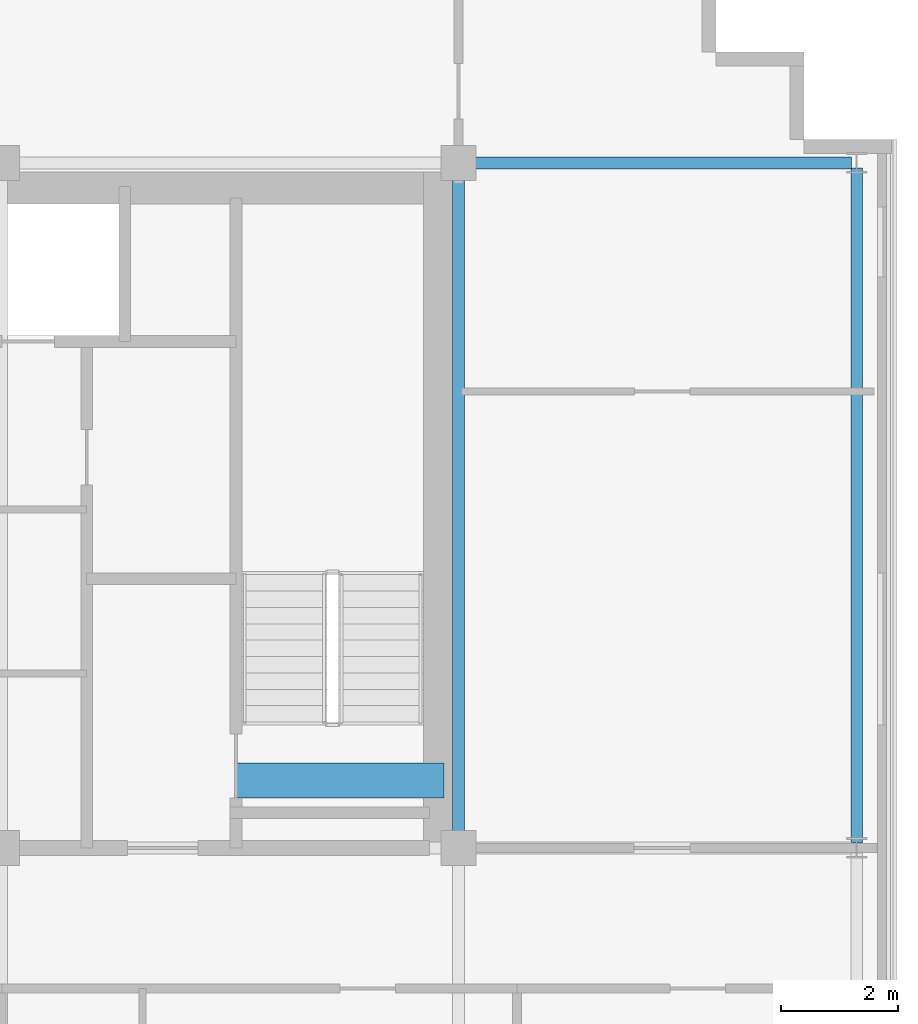
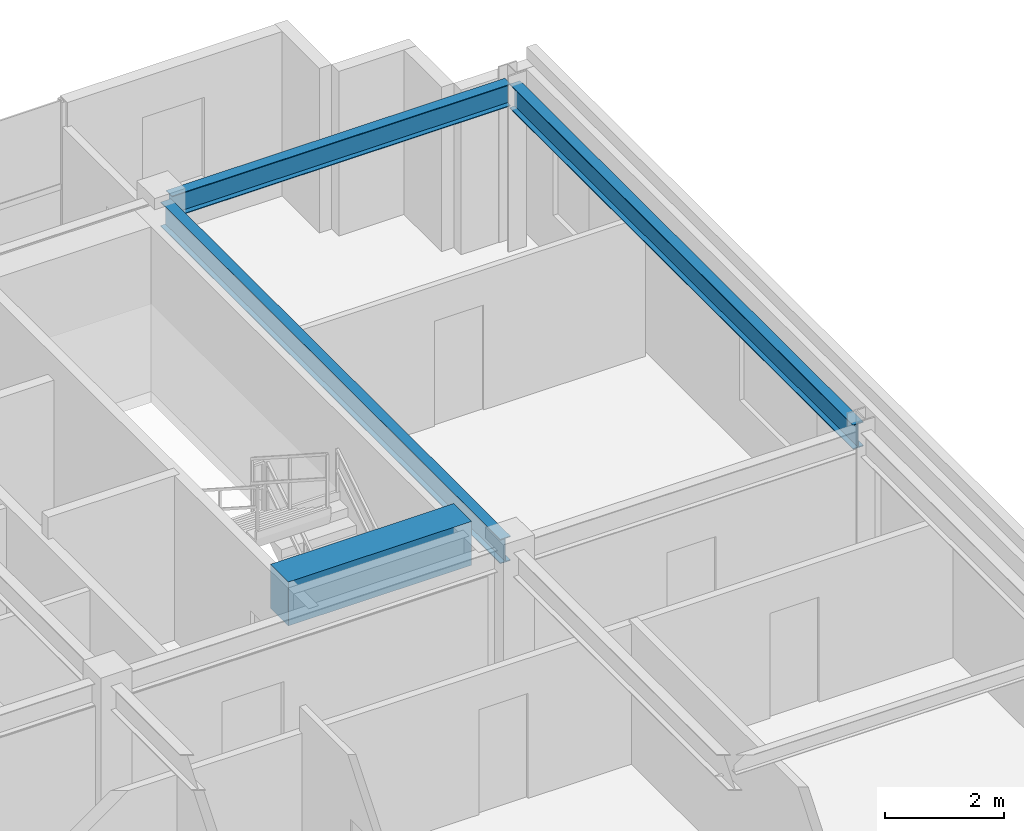
# One storey, part 13 of 22: 4 beams.
"""IFC4 building model written with IfcOpenShell, lengths in metres."""

import ifcopenshell
import ifcopenshell.guid

model = None  # the IFC model being written
_history = None  # IfcOwnerHistory: only IFC2X3 demands one
_inside = {}  # id of a spatial element -> (the spatial element, [elements in it])
_under = {}  # id of a project, library or spatial element -> (it, [spatial elements below it])
_declared = {}  # id of a project -> (the project, [libraries it declares])
_typed = {}  # id of a type object -> (the type object, [elements of that type])
_made_of = {}  # id of a material, layer set ... -> (it, [elements and type objects made of it])


def new_model(schema):
    """Start an empty IFC model of exactly this schema.

    Asked for "IFC4X3", IfcOpenShell would pick the latest addendum, in which some entities
    have other attributes; the version numbers below select the first issue.
    IFC2X3 requires an IfcOwnerHistory on every rooted entity: one is made here for all.
    """
    global model, _history
    if schema == "IFC4X3":
        model = ifcopenshell.file(schema_version=(4, 3, 0, 0))
    else:
        model = ifcopenshell.file(schema=schema)
    _inside.clear()
    _under.clear()
    _declared.clear()
    _typed.clear()
    _made_of.clear()
    _history = None
    if model.schema == "IFC2X3":
        org = make("IfcOrganization", Name="unknown")
        user = make(
            "IfcPersonAndOrganization",
            ThePerson=make("IfcPerson", FamilyName="unknown"),
            TheOrganization=org,
        )
        app = make(
            "IfcApplication",
            ApplicationDeveloper=org,
            Version="unknown",
            ApplicationFullName="unknown",
            ApplicationIdentifier="unknown",
        )
        _history = make(
            "IfcOwnerHistory",
            OwningUser=user,
            OwningApplication=app,
            ChangeAction="ADDED",
            CreationDate=0,
        )
    return model


def make(cls, **values):
    """One entity of the class cls with the attributes given. An attribute that is None is left unset."""
    return model.create_entity(
        cls, **{name: value for name, value in values.items() if value is not None}
    )


def rooted(cls, **values):
    """An entity with a GlobalId (a new one), such as an element, a storey or a relation."""
    return make(cls, GlobalId=ifcopenshell.guid.new(), OwnerHistory=_history, **values)


def si_unit(unit_type, name, prefix=None):
    """IfcSIUnit, for example si_unit("LENGTHUNIT", "METRE", prefix="MILLI")."""
    return make("IfcSIUnit", UnitType=unit_type, Prefix=prefix, Name=name)


def assignment(units):
    """IfcUnitAssignment: the units of a project."""
    return None if units is None else make("IfcUnitAssignment", Units=units)


def point(xyz):
    """IfcCartesianPoint."""
    return None if xyz is None else make("IfcCartesianPoint", Coordinates=xyz)


def direction(xyz):
    """IfcDirection."""
    return None if xyz is None else make("IfcDirection", DirectionRatios=xyz)


def frame(location, z_axis=None, x_axis=None):
    """IfcAxis2Placement3D, a coordinate frame: its origin and axes. An axis left out is left unset."""
    return make(
        "IfcAxis2Placement3D",
        Location=point(location),
        Axis=direction(z_axis),
        RefDirection=direction(x_axis),
    )


def frame_2d(location, x_axis=None):
    """IfcAxis2Placement2D, a coordinate frame in the plane: its origin and x axis."""
    return make(
        "IfcAxis2Placement2D", Location=point(location), RefDirection=direction(x_axis)
    )


def origin():
    """The frame at (0, 0, 0) with its axes left unset."""
    return frame((0.0, 0.0, 0.0))


def origin_2d():
    """The frame at (0, 0) in the plane with its x axis left unset."""
    return frame_2d((0.0, 0.0))


def place(relative_to, where):
    """IfcLocalPlacement: puts the frame where relative to a parent placement (None: the world)."""
    return make(
        "IfcLocalPlacement", PlacementRelTo=relative_to, RelativePlacement=where
    )


def context(
    kind, dimensions, precision=None, world=None, true_north=None, identifier=None
):
    """IfcGeometricRepresentationContext, for example the 3D "Model" context."""
    return make(
        "IfcGeometricRepresentationContext",
        ContextIdentifier=identifier,
        ContextType=kind,
        CoordinateSpaceDimension=dimensions,
        Precision=precision,
        WorldCoordinateSystem=world,
        TrueNorth=true_north,
    )


def subcontext(parent, identifier, kind, view, scale=None):
    """IfcGeometricRepresentationSubContext, for example "Body" below "Model"."""
    return make(
        "IfcGeometricRepresentationSubContext",
        ContextIdentifier=identifier,
        ContextType=kind,
        ParentContext=parent,
        TargetScale=scale,
        TargetView=view,
    )


def project(units=None, contexts=None):
    """IfcProject with its units and contexts."""
    return rooted(
        "IfcProject",
        Name="project",
        RepresentationContexts=contexts,
        UnitsInContext=assignment(units),
    )


def spatial(cls, under=None, at=None, **own):
    """A site, building, storey or space (cls), placed at a placement, below another one or the project."""
    s = rooted(cls, ObjectPlacement=at, **own)
    if under is not None:
        _under.setdefault(under.id(), (under, []))[1].append(s)
    return s


def profile(cls, at=None, kind="AREA", **sizes):
    """A parametric profile (cls). Its sizes go by their IFC names, for example OverallWidth=200.0."""
    return make(cls, ProfileType=kind, Position=at, **sizes)


def rectangle(**sizes):
    """IfcRectangleProfileDef."""
    return profile("IfcRectangleProfileDef", **sizes)


def i_section(**sizes):
    """IfcIShapeProfileDef."""
    return profile("IfcIShapeProfileDef", **sizes)


def extrude(swept, where, along, depth):
    """IfcExtrudedAreaSolid: the profile swept, set in the frame where, extruded along a direction by depth."""
    return make(
        "IfcExtrudedAreaSolid",
        SweptArea=swept,
        Position=where,
        ExtrudedDirection=direction(along),
        Depth=depth,
    )


def shape(context_of_items, identifier, shape_type, items):
    """IfcShapeRepresentation: the items that make up one representation, for example the "Body"."""
    return make(
        "IfcShapeRepresentation",
        ContextOfItems=context_of_items,
        RepresentationIdentifier=identifier,
        RepresentationType=shape_type,
        Items=items,
    )


def source(mapping_origin, context_of_items, identifier, shape_type, items):
    """IfcRepresentationMap: a shape defined once, which mapped items show again and again."""
    return make(
        "IfcRepresentationMap",
        MappingOrigin=mapping_origin,
        MappedRepresentation=shape(context_of_items, identifier, shape_type, items),
    )


def transform(
    local_origin,
    x_axis=None,
    y_axis=None,
    z_axis=None,
    scale=None,
    scale2=None,
    scale3=None,
    uniform=True,
):
    """IfcCartesianTransformationOperator3D, or its non-uniform kind. x_axis, y_axis, z_axis: its Axis1, 2, 3."""
    if uniform:
        return make(
            "IfcCartesianTransformationOperator3D",
            Axis1=direction(x_axis),
            Axis2=direction(y_axis),
            LocalOrigin=point(local_origin),
            Scale=scale,
            Axis3=direction(z_axis),
        )
    return make(
        "IfcCartesianTransformationOperator3DnonUniform",
        Axis1=direction(x_axis),
        Axis2=direction(y_axis),
        LocalOrigin=point(local_origin),
        Scale=scale,
        Axis3=direction(z_axis),
        Scale2=scale2,
        Scale3=scale3,
    )


def mapped(mapping_source, mapping_target):
    """IfcMappedItem: shows the shape of a source again, moved by a transform."""
    return make(
        "IfcMappedItem", MappingSource=mapping_source, MappingTarget=mapping_target
    )


def material(Name=None, Category=None):
    """IfcMaterial."""
    return make("IfcMaterial", Name=Name, Category=Category)


def material_profile(
    of_material, cross_section, Name=None, Category=None, Priority=None
):
    """IfcMaterialProfile: a cross section and its material."""
    return make(
        "IfcMaterialProfile",
        Name=Name,
        Material=of_material,
        Profile=cross_section,
        Priority=Priority,
        Category=Category,
    )


def profile_set(profiles, Name=None, composite=None):
    """IfcMaterialProfileSet."""
    return make(
        "IfcMaterialProfileSet",
        Name=Name,
        MaterialProfiles=profiles,
        CompositeProfile=composite,
    )


def made_of(thing, what):
    """Note that an element or type object is made of a material, layer set ...; save() writes the relation."""
    if what is not None:
        _made_of.setdefault(what.id(), (what, []))[1].append(thing)
    return thing


def type_object(cls, material=None, **own):
    """A type object (cls), such as IfcWallType, which elements share."""
    return made_of(rooted(cls, **own), material)


def element(
    cls,
    number,
    at=None,
    inside=None,
    cuts=None,
    type_object=None,
    material=None,
    context=None,
    identifier="Body",
    shape_type=None,
    held_by="IfcProductDefinitionShape",
    body=None,
    shapes=None,
    **own,
):
    """One element of the class cls, such as IfcWall. Its Tag is "e" and its number.

    at: its placement. inside: the storey or other place that contains it. cuts: it is an
    opening in that element (IfcRelVoidsElement). A single representation is given by context,
    identifier, shape_type and body (its items); several are given by shapes. held_by: the class
    of the entity that holds the representations. save() writes the other relations.
    """
    e = rooted(cls, Tag="e%d" % number, ObjectPlacement=at, **own)
    if body is not None:
        shapes = [shape(context, identifier, shape_type, body)]
    if shapes is not None:
        e.Representation = make(held_by, Representations=shapes)
    if inside is not None:
        _inside.setdefault(inside.id(), (inside, []))[1].append(e)
    if cuts is not None:
        rooted(
            "IfcRelVoidsElement", RelatingBuildingElement=cuts, RelatedOpeningElement=e
        )
    if type_object is not None:
        _typed.setdefault(type_object.id(), (type_object, []))[1].append(e)
    return made_of(e, material)


def aggregate(whole, parts):
    """IfcRelAggregates: a whole, such as a stair, and the parts it consists of."""
    return rooted("IfcRelAggregates", RelatingObject=whole, RelatedObjects=parts)


def save(model, path):
    """Write the relations noted so far, then the file.

    IfcRelAggregates (storeys below a building ...), IfcRelContainedInSpatialStructure (elements
    in a storey), IfcRelDefinesByType, IfcRelAssociatesMaterial and IfcRelDeclares: one each for
    every whole, place, type object, material and project.
    """
    for whole, parts in _under.values():
        aggregate(whole, parts)
    for where, things in _inside.values():
        rooted(
            "IfcRelContainedInSpatialStructure",
            RelatedElements=things,
            RelatingStructure=where,
        )
    for kind, things in _typed.values():
        rooted("IfcRelDefinesByType", RelatedObjects=things, RelatingType=kind)
    for what, things in _made_of.values():
        rooted("IfcRelAssociatesMaterial", RelatedObjects=things, RelatingMaterial=what)
    for by, libraries in _declared.values():
        rooted("IfcRelDeclares", RelatingContext=by, RelatedDefinitions=libraries)
    model.write(path)


model = new_model("IFC4")

# Units and contexts
model_context = context("Model", 3, precision=1e-05, world=origin(), true_north=direction((0.0, 1.0)))
body_context = subcontext(model_context, "Body", "Model", "MODEL_VIEW")
ifc_project = project(units=[si_unit("LENGTHUNIT", "METRE"), si_unit("AREAUNIT", "SQUARE_METRE"), si_unit("VOLUMEUNIT", "CUBIC_METRE"), si_unit("PLANEANGLEUNIT", "RADIAN"), si_unit("MASSUNIT", "GRAM", prefix="KILO")], contexts=[model_context])

# Site, building, storey
site_placement = place(None, origin())
site = spatial("IfcSite", under=ifc_project, at=site_placement, CompositionType="ELEMENT")
building_placement = place(site_placement, origin())
building = spatial("IfcBuilding", under=site, at=building_placement, Name="Trelvane Seafront Commons", CompositionType="ELEMENT")
storey_placement = place(building_placement, frame((0.0, 0.0, 284.699951171875)))
storey = spatial("IfcBuildingStorey", under=building, at=storey_placement, Name="L74", CompositionType="ELEMENT", Elevation=284.699951171875)

# Beams
ifc_material_1 = material(Name="Concrete C60/75", Category="concrete")
ifc_material_profile_1 = material_profile(ifc_material_1, rectangle(XDim=0.60009765625, YDim=0.89990234375, at=origin_2d()), Name="RC-600x900")
ifc_profile_set_1 = profile_set([ifc_material_profile_1], Name="Concrete C60/75")
beam_type_1 = type_object("IfcBeamType", Name="STR-LNT-RC600x900", PredefinedType="LINTEL", material=ifc_profile_set_1)
shared_shape_1 = source(origin(), body_context, "Body", "SweptSolid", [
    extrude(rectangle(XDim=0.60009765625, YDim=0.89990234375, at=origin_2d()), origin(), (0.0, 0.0, 1.0), 3.550048828125),
])
beam_1_placement = place(storey_placement, frame((55.0, 34.550048828125, 2.920166015625), z_axis=(1.0, 0.0, 0.0), x_axis=(0.0, 1.0, 0.0)))
element("IfcBeam", 1, at=beam_1_placement, inside=storey, type_object=beam_type_1, Name="L74 Core Coupling Lintel Beam CB-68", PredefinedType="LINTEL", context=body_context, shape_type="MappedRepresentation", body=[
    mapped(shared_shape_1, transform((0.0, 0.0, 0.0), x_axis=(1.0, 0.0, 0.0), y_axis=(0.0, 1.0, 0.0), z_axis=(0.0, 0.0, 1.0), scale=1.0)),
])
ifc_material_2 = material(Name="Steel SM355 (S355)", Category="steel")
ifc_material_profile_2 = material_profile(ifc_material_2, i_section(OverallWidth=0.199951171875, OverallDepth=0.5, WebThickness=0.010009765625, FlangeThickness=0.01611328125, at=origin_2d()), Name="H-500x200x10x16")
ifc_profile_set_2 = profile_set([ifc_material_profile_2], Name="Steel SM355 (S355)")
beam_type_2 = type_object("IfcBeamType", Name="STR-BM-H500", PredefinedType="BEAM", material=ifc_profile_set_2)
shared_shape_2 = source(origin(), body_context, "Body", "SweptSolid", [
    extrude(i_section(OverallWidth=0.199951171875, OverallDepth=0.5, WebThickness=0.010009765625, FlangeThickness=0.01611328125, at=origin_2d()), origin(), (0.0, 0.0, 1.0), 11.39990234375),
])
beam_2_placement = place(storey_placement, frame((58.800048828125, 33.550048828125, 3.1201171875), z_axis=(0.0, 1.0, 0.0), x_axis=(-1.0, 0.0, 0.0)))
element("IfcBeam", 2, at=beam_2_placement, inside=storey, type_object=beam_type_2, Name="L74 Primary Girder G-49", PredefinedType="BEAM", context=body_context, shape_type="MappedRepresentation", body=[
    mapped(shared_shape_2, transform((0.0, 0.0, 0.0), x_axis=(1.0, 0.0, 0.0), y_axis=(0.0, 1.0, 0.0), z_axis=(0.0, 0.0, 1.0), scale=1.0)),
])
ifc_material_profile_3 = material_profile(ifc_material_2, i_section(OverallWidth=0.199951171875, OverallDepth=0.449951171875, WebThickness=0.009033203125, FlangeThickness=0.013916015625, at=origin_2d()), Name="H-450x200x9x14")
ifc_profile_set_3 = profile_set([ifc_material_profile_3], Name="Steel SM355 (S355)")
beam_type_3 = type_object("IfcBeamType", Name="STR-SPD-H450", PredefinedType="SPANDREL", material=ifc_profile_set_3)
shared_shape_3 = source(origin(), body_context, "Body", "SweptSolid", [
    extrude(i_section(OverallWidth=0.199951171875, OverallDepth=0.449951171875, WebThickness=0.009033203125, FlangeThickness=0.013916015625, at=origin_2d()), origin(), (0.0, 0.0, 1.0), 6.5625),
])
beam_3_placement = place(storey_placement, frame((58.949951171875, 45.10009765625, 3.14501953125), z_axis=(1.0, 0.0, 0.0), x_axis=(0.0, 1.0, 0.0)))
element("IfcBeam", 3, at=beam_3_placement, inside=storey, type_object=beam_type_3, Name="L74 Primary Girder G-28", PredefinedType="SPANDREL", context=body_context, shape_type="MappedRepresentation", body=[
    mapped(shared_shape_3, transform((0.0, 0.0, 0.0), x_axis=(1.0, 0.0, 0.0), y_axis=(0.0, 1.0, 0.0), z_axis=(0.0, 0.0, 1.0), scale=1.0)),
])
shared_shape_4 = source(origin(), body_context, "Body", "SweptSolid", [
    extrude(i_section(OverallWidth=0.199951171875, OverallDepth=0.5, WebThickness=0.010009765625, FlangeThickness=0.01611328125, at=origin_2d()), origin(), (0.0, 0.0, 1.0), 11.52490234375),
])
beam_4_placement = place(storey_placement, frame((65.60009765625, 33.487548828125, 3.1201171875), z_axis=(0.0, 1.0, 0.0), x_axis=(-1.0, 0.0, 0.0)))
element("IfcBeam", 4, at=beam_4_placement, inside=storey, type_object=beam_type_2, Name="L74 Primary Girder G-52", PredefinedType="BEAM", context=body_context, shape_type="MappedRepresentation", body=[
    mapped(shared_shape_4, transform((0.0, 0.0, 0.0), x_axis=(1.0, 0.0, 0.0), y_axis=(0.0, 1.0, 0.0), z_axis=(0.0, 0.0, 1.0), scale=1.0)),
])

save(model, "model.ifc")
